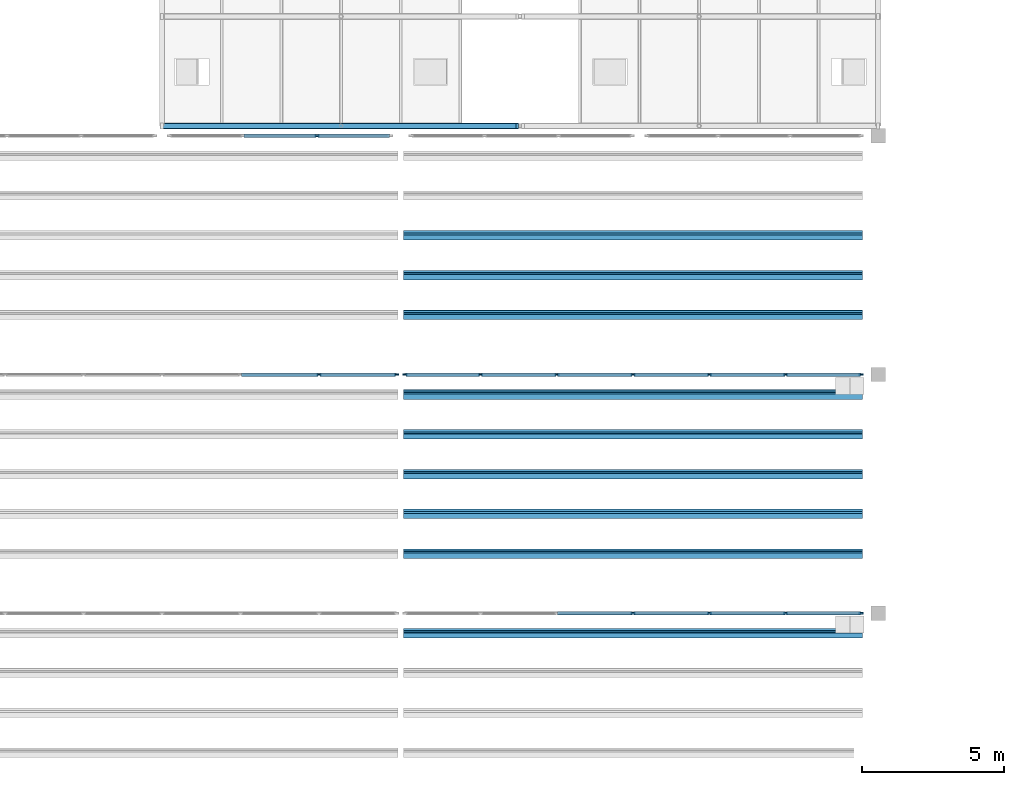
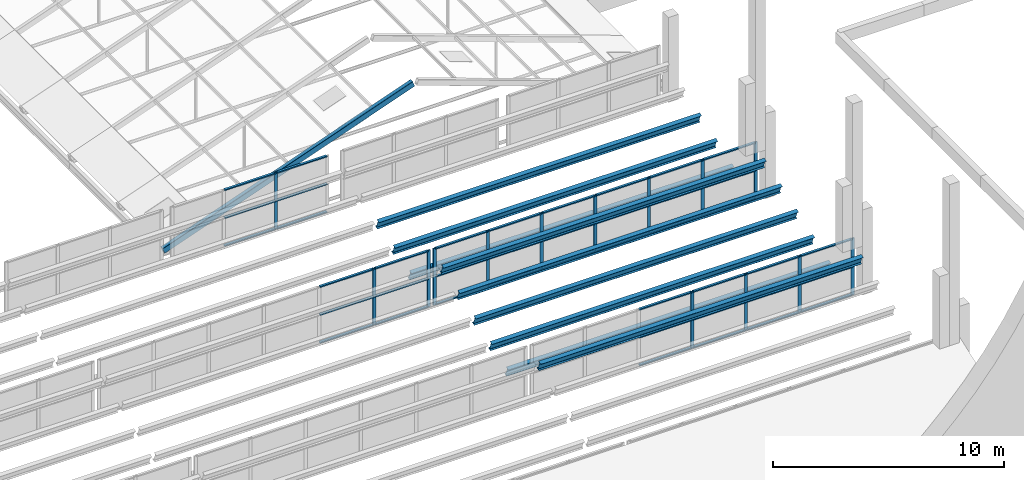
# One storey, part 25 of 116: 66 members, 4 elements without a shape of their own.
"""IFC4 building model written with IfcOpenShell, lengths in metres."""

from ifc_helpers import new_model, si_unit, direction, frame, origin, origin_2d, place, context, subcontext, project, spatial, rectangle, hollow_rectangle, i_section, extrude, material, material_profile, profile_set, type_object, element, aggregate, save


model = new_model("IFC4")

# Units and contexts
model_context = context("Model", 3, precision=1e-05, world=origin(), true_north=direction((0.0, 1.0)))
body_context = subcontext(model_context, "Body", "Model", "MODEL_VIEW")
ifc_project = project(units=[si_unit("LENGTHUNIT", "METRE"), si_unit("AREAUNIT", "SQUARE_METRE"), si_unit("VOLUMEUNIT", "CUBIC_METRE"), si_unit("PLANEANGLEUNIT", "RADIAN"), si_unit("MASSUNIT", "GRAM", prefix="KILO")], contexts=[model_context])

# Site, building, storey
site_placement = place(None, origin())
site = spatial("IfcSite", under=ifc_project, at=site_placement, CompositionType="ELEMENT")
building_placement = place(site_placement, origin())
building = spatial("IfcBuilding", under=site, at=building_placement, Name="Fescue Hill Polytechnic", CompositionType="ELEMENT")
storey_placement = place(building_placement, frame((0.0, 0.0, 13.5)))
storey = spatial("IfcBuildingStorey", under=building, at=storey_placement, Name="L03", CompositionType="ELEMENT", Elevation=13.5)

# Curtain wall, members
ifc_material_1 = material(Name="Aluminium and glass", Category="aluminium")
curtain_wall_type = type_object("IfcCurtainWallType", Name="Sawtooth north glazing curtain wall", PredefinedType="NOTDEFINED", material=ifc_material_1)
curtain_wall_1_placement = place(storey_placement, origin())
curtain_wall_1 = element("IfcCurtainWall", 1, at=curtain_wall_1_placement, inside=storey, type_object=curtain_wall_type, Name="Sawtooth 2 north glazing bay 7", PredefinedType="NOTDEFINED")
ifc_material_2 = material(Name="Aluminium", Category="aluminium")
ifc_material_profile_1 = material_profile(ifc_material_2, rectangle(XDim=0.06005859375, YDim=0.159912109375, at=origin_2d()), Name="Curtain wall mullion 60x160")
ifc_profile_set_1 = profile_set([ifc_material_profile_1], Name="Aluminium")
member_type_1 = type_object("IfcMemberType", Name="Curtain wall mullion 60x160", PredefinedType="MULLION", material=ifc_profile_set_1)
member_1_placement = place(storey_placement, frame((108.97509765625, 33.60009765625, 0.0), z_axis=(0.0, 0.0, 1.0), x_axis=(0.0, 1.0, 0.0)))
member_1 = element("IfcMember", 2, at=member_1_placement, type_object=member_type_1, Name="CW14 mullion 4", PredefinedType="MULLION", context=body_context, shape_type="SweptSolid", body=[
    extrude(rectangle(XDim=0.06005859375, YDim=0.159912109375, at=origin_2d()), origin(), (0.0, 0.0, 1.0), 3.0),
])
member_2_placement = place(storey_placement, frame((111.659912109375, 33.60009765625, 0.0), z_axis=(0.0, 0.0, 1.0), x_axis=(0.0, 1.0, 0.0)))
member_2 = element("IfcMember", 3, at=member_2_placement, type_object=member_type_1, Name="CW14 mullion 5", PredefinedType="MULLION", context=body_context, shape_type="SweptSolid", body=[
    extrude(rectangle(XDim=0.06005859375, YDim=0.159912109375, at=origin_2d()), origin(), (0.0, 0.0, 1.0), 3.0),
])
member_3_placement = place(storey_placement, frame((114.344970703125, 33.60009765625, 0.0), z_axis=(0.0, 0.0, 1.0), x_axis=(0.0, 1.0, 0.0)))
member_3 = element("IfcMember", 4, at=member_3_placement, type_object=member_type_1, Name="CW14 mullion 6", PredefinedType="MULLION", context=body_context, shape_type="SweptSolid", body=[
    extrude(rectangle(XDim=0.06005859375, YDim=0.159912109375, at=origin_2d()), origin(), (0.0, 0.0, 1.0), 3.0),
])
member_4_placement = place(storey_placement, frame((117.0, 33.60009765625, 0.0), z_axis=(0.0, 0.0, 1.0), x_axis=(0.0, 1.0, 0.0)))
member_4 = element("IfcMember", 5, at=member_4_placement, type_object=member_type_1, Name="CW14 mullion 7", PredefinedType="MULLION", context=body_context, shape_type="SweptSolid", body=[
    extrude(rectangle(XDim=0.06005859375, YDim=0.159912109375, at=origin_2d()), origin(), (0.0, 0.0, 1.0), 3.0),
])

curtain_wall_2_placement = place(storey_placement, origin())
curtain_wall_2 = element("IfcCurtainWall", 6, at=curtain_wall_2_placement, inside=storey, type_object=curtain_wall_type, Name="Sawtooth 3 north glazing bay 6", PredefinedType="NOTDEFINED")
member_5_placement = place(storey_placement, frame((97.919921875, 42.0, 0.0), z_axis=(0.0, 0.0, 1.0), x_axis=(0.0, 1.0, 0.0)))
member_5 = element("IfcMember", 7, at=member_5_placement, type_object=member_type_1, Name="CW20 mullion 6", PredefinedType="MULLION", context=body_context, shape_type="SweptSolid", body=[
    extrude(rectangle(XDim=0.06005859375, YDim=0.159912109375, at=origin_2d()), origin(), (0.0, 0.0, 1.0), 3.0),
])
member_6_placement = place(storey_placement, frame((100.64990234375, 42.0, 0.0), z_axis=(0.0, 0.0, 1.0), x_axis=(0.0, 1.0, 0.0)))
member_6 = element("IfcMember", 8, at=member_6_placement, type_object=member_type_1, Name="CW20 mullion 7", PredefinedType="MULLION", context=body_context, shape_type="SweptSolid", body=[
    extrude(rectangle(XDim=0.06005859375, YDim=0.159912109375, at=origin_2d()), origin(), (0.0, 0.0, 1.0), 3.0),
])

curtain_wall_3_placement = place(storey_placement, origin())
curtain_wall_3 = element("IfcCurtainWall", 9, at=curtain_wall_3_placement, inside=storey, type_object=curtain_wall_type, Name="Sawtooth 3 north glazing bay 7", PredefinedType="NOTDEFINED")
member_7_placement = place(storey_placement, frame((100.949951171875, 42.0, 0.0), z_axis=(0.0, 0.0, 1.0), x_axis=(0.0, 1.0, 0.0)))
member_7 = element("IfcMember", 10, at=member_7_placement, type_object=member_type_1, Name="CW21 mullion 1", PredefinedType="MULLION", context=body_context, shape_type="SweptSolid", body=[
    extrude(rectangle(XDim=0.06005859375, YDim=0.159912109375, at=origin_2d()), origin(), (0.0, 0.0, 1.0), 3.0),
])
member_8_placement = place(storey_placement, frame((103.60498046875, 42.0, 0.0), z_axis=(0.0, 0.0, 1.0), x_axis=(0.0, 1.0, 0.0)))
member_8 = element("IfcMember", 11, at=member_8_placement, type_object=member_type_1, Name="CW21 mullion 2", PredefinedType="MULLION", context=body_context, shape_type="SweptSolid", body=[
    extrude(rectangle(XDim=0.06005859375, YDim=0.159912109375, at=origin_2d()), origin(), (0.0, 0.0, 1.0), 3.0),
])
member_9_placement = place(storey_placement, frame((106.2900390625, 42.0, 0.0), z_axis=(0.0, 0.0, 1.0), x_axis=(0.0, 1.0, 0.0)))
member_9 = element("IfcMember", 12, at=member_9_placement, type_object=member_type_1, Name="CW21 mullion 3", PredefinedType="MULLION", context=body_context, shape_type="SweptSolid", body=[
    extrude(rectangle(XDim=0.06005859375, YDim=0.159912109375, at=origin_2d()), origin(), (0.0, 0.0, 1.0), 3.0),
])
member_10_placement = place(storey_placement, frame((108.97509765625, 42.0, 0.0), z_axis=(0.0, 0.0, 1.0), x_axis=(0.0, 1.0, 0.0)))
member_10 = element("IfcMember", 13, at=member_10_placement, type_object=member_type_1, Name="CW21 mullion 4", PredefinedType="MULLION", context=body_context, shape_type="SweptSolid", body=[
    extrude(rectangle(XDim=0.06005859375, YDim=0.159912109375, at=origin_2d()), origin(), (0.0, 0.0, 1.0), 3.0),
])
member_11_placement = place(storey_placement, frame((111.659912109375, 42.0, 0.0), z_axis=(0.0, 0.0, 1.0), x_axis=(0.0, 1.0, 0.0)))
member_11 = element("IfcMember", 14, at=member_11_placement, type_object=member_type_1, Name="CW21 mullion 5", PredefinedType="MULLION", context=body_context, shape_type="SweptSolid", body=[
    extrude(rectangle(XDim=0.06005859375, YDim=0.159912109375, at=origin_2d()), origin(), (0.0, 0.0, 1.0), 3.0),
])
member_12_placement = place(storey_placement, frame((114.344970703125, 42.0, 0.0), z_axis=(0.0, 0.0, 1.0), x_axis=(0.0, 1.0, 0.0)))
member_12 = element("IfcMember", 15, at=member_12_placement, type_object=member_type_1, Name="CW21 mullion 6", PredefinedType="MULLION", context=body_context, shape_type="SweptSolid", body=[
    extrude(rectangle(XDim=0.06005859375, YDim=0.159912109375, at=origin_2d()), origin(), (0.0, 0.0, 1.0), 3.0),
])
member_13_placement = place(storey_placement, frame((117.0, 42.0, 0.0), z_axis=(0.0, 0.0, 1.0), x_axis=(0.0, 1.0, 0.0)))
member_13 = element("IfcMember", 16, at=member_13_placement, type_object=member_type_1, Name="CW21 mullion 7", PredefinedType="MULLION", context=body_context, shape_type="SweptSolid", body=[
    extrude(rectangle(XDim=0.06005859375, YDim=0.159912109375, at=origin_2d()), origin(), (0.0, 0.0, 1.0), 3.0),
])

# Curtain wall, member
curtain_wall_4_placement = place(storey_placement, origin())
curtain_wall_4 = element("IfcCurtainWall", 17, at=curtain_wall_4_placement, inside=storey, type_object=curtain_wall_type, Name="Sawtooth 4 north glazing bay 6 part 2", PredefinedType="NOTDEFINED")
member_14_placement = place(storey_placement, frame((97.853271484375, 50.39990234375, 0.0), z_axis=(0.0, 0.0, 1.0), x_axis=(0.0, 1.0, 0.0)))
member_14 = element("IfcMember", 18, at=member_14_placement, type_object=member_type_1, Name="CW33 mullion 3", PredefinedType="MULLION", context=body_context, shape_type="SweptSolid", body=[
    extrude(rectangle(XDim=0.06005859375, YDim=0.159912109375, at=origin_2d()), origin(), (0.0, 0.0, 1.0), 3.0),
])

# Member
ifc_material_profile_2 = material_profile(ifc_material_2, rectangle(XDim=0.1201171875, YDim=0.06005859375, at=origin_2d()), Name="Curtain wall transom 60x120")
ifc_profile_set_2 = profile_set([ifc_material_profile_2], Name="Aluminium")
member_type_2 = type_object("IfcMemberType", Name="Curtain wall transom 60x120", PredefinedType="USERDEFINED", material=ifc_profile_set_2)
member_15_placement = place(storey_placement, frame((106.320068359375, 33.60009765625, 0.030029296875), z_axis=(1.0, 0.0, 0.0), x_axis=(0.0, 1.0, 0.0)))
member_15 = element("IfcMember", 19, at=member_15_placement, type_object=member_type_2, Name="CW14 transom 3.1", ObjectType="TRANSOM", PredefinedType="USERDEFINED", context=body_context, shape_type="SweptSolid", body=[
    extrude(rectangle(XDim=0.1201171875, YDim=0.06005859375, at=origin_2d()), origin(), (0.0, 0.0, 1.0), 2.625),
])

member_16_placement = place(storey_placement, frame((106.320068359375, 33.60009765625, 1.5), z_axis=(1.0, 0.0, 0.0), x_axis=(0.0, 1.0, 0.0)))
member_16 = element("IfcMember", 20, at=member_16_placement, type_object=member_type_2, Name="CW14 transom 3.2", ObjectType="TRANSOM", PredefinedType="USERDEFINED", context=body_context, shape_type="SweptSolid", body=[
    extrude(rectangle(XDim=0.1201171875, YDim=0.06005859375, at=origin_2d()), origin(), (0.0, 0.0, 1.0), 2.625),
])

member_17_placement = place(storey_placement, frame((106.320068359375, 33.60009765625, 2.969970703125), z_axis=(1.0, 0.0, 0.0), x_axis=(0.0, 1.0, 0.0)))
member_17 = element("IfcMember", 21, at=member_17_placement, type_object=member_type_2, Name="CW14 transom 3.3", ObjectType="TRANSOM", PredefinedType="USERDEFINED", context=body_context, shape_type="SweptSolid", body=[
    extrude(rectangle(XDim=0.1201171875, YDim=0.06005859375, at=origin_2d()), origin(), (0.0, 0.0, 1.0), 2.625),
])

member_18_placement = place(storey_placement, frame((109.0048828125, 33.60009765625, 0.030029296875), z_axis=(1.0, 0.0, 0.0), x_axis=(0.0, 1.0, 0.0)))
member_18 = element("IfcMember", 22, at=member_18_placement, type_object=member_type_2, Name="CW14 transom 4.1", ObjectType="TRANSOM", PredefinedType="USERDEFINED", context=body_context, shape_type="SweptSolid", body=[
    extrude(rectangle(XDim=0.1201171875, YDim=0.06005859375, at=origin_2d()), origin(), (0.0, 0.0, 1.0), 2.625),
])

member_19_placement = place(storey_placement, frame((109.0048828125, 33.60009765625, 1.5), z_axis=(1.0, 0.0, 0.0), x_axis=(0.0, 1.0, 0.0)))
member_19 = element("IfcMember", 23, at=member_19_placement, type_object=member_type_2, Name="CW14 transom 4.2", ObjectType="TRANSOM", PredefinedType="USERDEFINED", context=body_context, shape_type="SweptSolid", body=[
    extrude(rectangle(XDim=0.1201171875, YDim=0.06005859375, at=origin_2d()), origin(), (0.0, 0.0, 1.0), 2.625),
])

member_20_placement = place(storey_placement, frame((109.0048828125, 33.60009765625, 2.969970703125), z_axis=(1.0, 0.0, 0.0), x_axis=(0.0, 1.0, 0.0)))
member_20 = element("IfcMember", 24, at=member_20_placement, type_object=member_type_2, Name="CW14 transom 4.3", ObjectType="TRANSOM", PredefinedType="USERDEFINED", context=body_context, shape_type="SweptSolid", body=[
    extrude(rectangle(XDim=0.1201171875, YDim=0.06005859375, at=origin_2d()), origin(), (0.0, 0.0, 1.0), 2.625),
])

member_21_placement = place(storey_placement, frame((111.68994140625, 33.60009765625, 0.030029296875), z_axis=(1.0, 0.0, 0.0), x_axis=(0.0, 1.0, 0.0)))
member_21 = element("IfcMember", 25, at=member_21_placement, type_object=member_type_2, Name="CW14 transom 5.1", ObjectType="TRANSOM", PredefinedType="USERDEFINED", context=body_context, shape_type="SweptSolid", body=[
    extrude(rectangle(XDim=0.1201171875, YDim=0.06005859375, at=origin_2d()), origin(), (0.0, 0.0, 1.0), 2.625),
])

member_22_placement = place(storey_placement, frame((111.68994140625, 33.60009765625, 1.5), z_axis=(1.0, 0.0, 0.0), x_axis=(0.0, 1.0, 0.0)))
member_22 = element("IfcMember", 26, at=member_22_placement, type_object=member_type_2, Name="CW14 transom 5.2", ObjectType="TRANSOM", PredefinedType="USERDEFINED", context=body_context, shape_type="SweptSolid", body=[
    extrude(rectangle(XDim=0.1201171875, YDim=0.06005859375, at=origin_2d()), origin(), (0.0, 0.0, 1.0), 2.625),
])

member_23_placement = place(storey_placement, frame((111.68994140625, 33.60009765625, 2.969970703125), z_axis=(1.0, 0.0, 0.0), x_axis=(0.0, 1.0, 0.0)))
member_23 = element("IfcMember", 27, at=member_23_placement, type_object=member_type_2, Name="CW14 transom 5.3", ObjectType="TRANSOM", PredefinedType="USERDEFINED", context=body_context, shape_type="SweptSolid", body=[
    extrude(rectangle(XDim=0.1201171875, YDim=0.06005859375, at=origin_2d()), origin(), (0.0, 0.0, 1.0), 2.625),
])

member_24_placement = place(storey_placement, frame((114.375, 33.60009765625, 0.030029296875), z_axis=(1.0, 0.0, 0.0), x_axis=(0.0, 1.0, 0.0)))
member_24 = element("IfcMember", 28, at=member_24_placement, type_object=member_type_2, Name="CW14 transom 6.1", ObjectType="TRANSOM", PredefinedType="USERDEFINED", context=body_context, shape_type="SweptSolid", body=[
    extrude(rectangle(XDim=0.1201171875, YDim=0.06005859375, at=origin_2d()), origin(), (0.0, 0.0, 1.0), 2.594970703125),
])

member_25_placement = place(storey_placement, frame((114.375, 33.60009765625, 1.5), z_axis=(1.0, 0.0, 0.0), x_axis=(0.0, 1.0, 0.0)))
member_25 = element("IfcMember", 29, at=member_25_placement, type_object=member_type_2, Name="CW14 transom 6.2", ObjectType="TRANSOM", PredefinedType="USERDEFINED", context=body_context, shape_type="SweptSolid", body=[
    extrude(rectangle(XDim=0.1201171875, YDim=0.06005859375, at=origin_2d()), origin(), (0.0, 0.0, 1.0), 2.594970703125),
])

member_26_placement = place(storey_placement, frame((114.375, 33.60009765625, 2.969970703125), z_axis=(1.0, 0.0, 0.0), x_axis=(0.0, 1.0, 0.0)))
member_26 = element("IfcMember", 30, at=member_26_placement, type_object=member_type_2, Name="CW14 transom 6.3", ObjectType="TRANSOM", PredefinedType="USERDEFINED", context=body_context, shape_type="SweptSolid", body=[
    extrude(rectangle(XDim=0.1201171875, YDim=0.06005859375, at=origin_2d()), origin(), (0.0, 0.0, 1.0), 2.594970703125),
])

aggregate(curtain_wall_1, [member_1, member_2, member_3, member_4, member_15, member_16, member_17, member_18, member_19, member_20, member_21, member_22, member_23, member_24, member_25, member_26])

member_27_placement = place(storey_placement, frame((95.18994140625, 42.0, 0.030029296875), z_axis=(1.0, 0.0, 0.0), x_axis=(0.0, 1.0, 0.0)))
member_27 = element("IfcMember", 31, at=member_27_placement, type_object=member_type_2, Name="CW20 transom 5.1", ObjectType="TRANSOM", PredefinedType="USERDEFINED", context=body_context, shape_type="SweptSolid", body=[
    extrude(rectangle(XDim=0.1201171875, YDim=0.06005859375, at=origin_2d()), origin(), (0.0, 0.0, 1.0), 2.699951171875),
])

member_28_placement = place(storey_placement, frame((95.18994140625, 42.0, 1.5), z_axis=(1.0, 0.0, 0.0), x_axis=(0.0, 1.0, 0.0)))
member_28 = element("IfcMember", 32, at=member_28_placement, type_object=member_type_2, Name="CW20 transom 5.2", ObjectType="TRANSOM", PredefinedType="USERDEFINED", context=body_context, shape_type="SweptSolid", body=[
    extrude(rectangle(XDim=0.1201171875, YDim=0.06005859375, at=origin_2d()), origin(), (0.0, 0.0, 1.0), 2.699951171875),
])

member_29_placement = place(storey_placement, frame((95.18994140625, 42.0, 2.969970703125), z_axis=(1.0, 0.0, 0.0), x_axis=(0.0, 1.0, 0.0)))
member_29 = element("IfcMember", 33, at=member_29_placement, type_object=member_type_2, Name="CW20 transom 5.3", ObjectType="TRANSOM", PredefinedType="USERDEFINED", context=body_context, shape_type="SweptSolid", body=[
    extrude(rectangle(XDim=0.1201171875, YDim=0.06005859375, at=origin_2d()), origin(), (0.0, 0.0, 1.0), 2.699951171875),
])

member_30_placement = place(storey_placement, frame((97.949951171875, 42.0, 0.030029296875), z_axis=(1.0, 0.0, 0.0), x_axis=(0.0, 1.0, 0.0)))
member_30 = element("IfcMember", 34, at=member_30_placement, type_object=member_type_2, Name="CW20 transom 6.1", ObjectType="TRANSOM", PredefinedType="USERDEFINED", context=body_context, shape_type="SweptSolid", body=[
    extrude(rectangle(XDim=0.1201171875, YDim=0.06005859375, at=origin_2d()), origin(), (0.0, 0.0, 1.0), 2.670166015625),
])

member_31_placement = place(storey_placement, frame((97.949951171875, 42.0, 1.5), z_axis=(1.0, 0.0, 0.0), x_axis=(0.0, 1.0, 0.0)))
member_31 = element("IfcMember", 35, at=member_31_placement, type_object=member_type_2, Name="CW20 transom 6.2", ObjectType="TRANSOM", PredefinedType="USERDEFINED", context=body_context, shape_type="SweptSolid", body=[
    extrude(rectangle(XDim=0.1201171875, YDim=0.06005859375, at=origin_2d()), origin(), (0.0, 0.0, 1.0), 2.670166015625),
])

member_32_placement = place(storey_placement, frame((97.949951171875, 42.0, 2.969970703125), z_axis=(1.0, 0.0, 0.0), x_axis=(0.0, 1.0, 0.0)))
member_32 = element("IfcMember", 36, at=member_32_placement, type_object=member_type_2, Name="CW20 transom 6.3", ObjectType="TRANSOM", PredefinedType="USERDEFINED", context=body_context, shape_type="SweptSolid", body=[
    extrude(rectangle(XDim=0.1201171875, YDim=0.06005859375, at=origin_2d()), origin(), (0.0, 0.0, 1.0), 2.670166015625),
])

aggregate(curtain_wall_2, [member_5, member_6, member_27, member_28, member_29, member_30, member_31, member_32])

member_33_placement = place(storey_placement, frame((100.97998046875, 42.0, 0.030029296875), z_axis=(1.0, 0.0, 0.0), x_axis=(0.0, 1.0, 0.0)))
member_33 = element("IfcMember", 37, at=member_33_placement, type_object=member_type_2, Name="CW21 transom 1.1", ObjectType="TRANSOM", PredefinedType="USERDEFINED", context=body_context, shape_type="SweptSolid", body=[
    extrude(rectangle(XDim=0.1201171875, YDim=0.06005859375, at=origin_2d()), origin(), (0.0, 0.0, 1.0), 2.594970703125),
])

member_34_placement = place(storey_placement, frame((100.97998046875, 42.0, 1.5), z_axis=(1.0, 0.0, 0.0), x_axis=(0.0, 1.0, 0.0)))
member_34 = element("IfcMember", 38, at=member_34_placement, type_object=member_type_2, Name="CW21 transom 1.2", ObjectType="TRANSOM", PredefinedType="USERDEFINED", context=body_context, shape_type="SweptSolid", body=[
    extrude(rectangle(XDim=0.1201171875, YDim=0.06005859375, at=origin_2d()), origin(), (0.0, 0.0, 1.0), 2.594970703125),
])

member_35_placement = place(storey_placement, frame((100.97998046875, 42.0, 2.969970703125), z_axis=(1.0, 0.0, 0.0), x_axis=(0.0, 1.0, 0.0)))
member_35 = element("IfcMember", 39, at=member_35_placement, type_object=member_type_2, Name="CW21 transom 1.3", ObjectType="TRANSOM", PredefinedType="USERDEFINED", context=body_context, shape_type="SweptSolid", body=[
    extrude(rectangle(XDim=0.1201171875, YDim=0.06005859375, at=origin_2d()), origin(), (0.0, 0.0, 1.0), 2.594970703125),
])

member_36_placement = place(storey_placement, frame((103.635009765625, 42.0, 0.030029296875), z_axis=(1.0, 0.0, 0.0), x_axis=(0.0, 1.0, 0.0)))
member_36 = element("IfcMember", 40, at=member_36_placement, type_object=member_type_2, Name="CW21 transom 2.1", ObjectType="TRANSOM", PredefinedType="USERDEFINED", context=body_context, shape_type="SweptSolid", body=[
    extrude(rectangle(XDim=0.1201171875, YDim=0.06005859375, at=origin_2d()), origin(), (0.0, 0.0, 1.0), 2.625),
])

member_37_placement = place(storey_placement, frame((103.635009765625, 42.0, 1.5), z_axis=(1.0, 0.0, 0.0), x_axis=(0.0, 1.0, 0.0)))
member_37 = element("IfcMember", 41, at=member_37_placement, type_object=member_type_2, Name="CW21 transom 2.2", ObjectType="TRANSOM", PredefinedType="USERDEFINED", context=body_context, shape_type="SweptSolid", body=[
    extrude(rectangle(XDim=0.1201171875, YDim=0.06005859375, at=origin_2d()), origin(), (0.0, 0.0, 1.0), 2.625),
])

member_38_placement = place(storey_placement, frame((103.635009765625, 42.0, 2.969970703125), z_axis=(1.0, 0.0, 0.0), x_axis=(0.0, 1.0, 0.0)))
member_38 = element("IfcMember", 42, at=member_38_placement, type_object=member_type_2, Name="CW21 transom 2.3", ObjectType="TRANSOM", PredefinedType="USERDEFINED", context=body_context, shape_type="SweptSolid", body=[
    extrude(rectangle(XDim=0.1201171875, YDim=0.06005859375, at=origin_2d()), origin(), (0.0, 0.0, 1.0), 2.625),
])

member_39_placement = place(storey_placement, frame((106.320068359375, 42.0, 0.030029296875), z_axis=(1.0, 0.0, 0.0), x_axis=(0.0, 1.0, 0.0)))
member_39 = element("IfcMember", 43, at=member_39_placement, type_object=member_type_2, Name="CW21 transom 3.1", ObjectType="TRANSOM", PredefinedType="USERDEFINED", context=body_context, shape_type="SweptSolid", body=[
    extrude(rectangle(XDim=0.1201171875, YDim=0.06005859375, at=origin_2d()), origin(), (0.0, 0.0, 1.0), 2.625),
])

member_40_placement = place(storey_placement, frame((106.320068359375, 42.0, 1.5), z_axis=(1.0, 0.0, 0.0), x_axis=(0.0, 1.0, 0.0)))
member_40 = element("IfcMember", 44, at=member_40_placement, type_object=member_type_2, Name="CW21 transom 3.2", ObjectType="TRANSOM", PredefinedType="USERDEFINED", context=body_context, shape_type="SweptSolid", body=[
    extrude(rectangle(XDim=0.1201171875, YDim=0.06005859375, at=origin_2d()), origin(), (0.0, 0.0, 1.0), 2.625),
])

member_41_placement = place(storey_placement, frame((106.320068359375, 42.0, 2.969970703125), z_axis=(1.0, 0.0, 0.0), x_axis=(0.0, 1.0, 0.0)))
member_41 = element("IfcMember", 45, at=member_41_placement, type_object=member_type_2, Name="CW21 transom 3.3", ObjectType="TRANSOM", PredefinedType="USERDEFINED", context=body_context, shape_type="SweptSolid", body=[
    extrude(rectangle(XDim=0.1201171875, YDim=0.06005859375, at=origin_2d()), origin(), (0.0, 0.0, 1.0), 2.625),
])

member_42_placement = place(storey_placement, frame((109.0048828125, 42.0, 0.030029296875), z_axis=(1.0, 0.0, 0.0), x_axis=(0.0, 1.0, 0.0)))
member_42 = element("IfcMember", 46, at=member_42_placement, type_object=member_type_2, Name="CW21 transom 4.1", ObjectType="TRANSOM", PredefinedType="USERDEFINED", context=body_context, shape_type="SweptSolid", body=[
    extrude(rectangle(XDim=0.1201171875, YDim=0.06005859375, at=origin_2d()), origin(), (0.0, 0.0, 1.0), 2.625),
])

member_43_placement = place(storey_placement, frame((109.0048828125, 42.0, 1.5), z_axis=(1.0, 0.0, 0.0), x_axis=(0.0, 1.0, 0.0)))
member_43 = element("IfcMember", 47, at=member_43_placement, type_object=member_type_2, Name="CW21 transom 4.2", ObjectType="TRANSOM", PredefinedType="USERDEFINED", context=body_context, shape_type="SweptSolid", body=[
    extrude(rectangle(XDim=0.1201171875, YDim=0.06005859375, at=origin_2d()), origin(), (0.0, 0.0, 1.0), 2.625),
])

member_44_placement = place(storey_placement, frame((109.0048828125, 42.0, 2.969970703125), z_axis=(1.0, 0.0, 0.0), x_axis=(0.0, 1.0, 0.0)))
member_44 = element("IfcMember", 48, at=member_44_placement, type_object=member_type_2, Name="CW21 transom 4.3", ObjectType="TRANSOM", PredefinedType="USERDEFINED", context=body_context, shape_type="SweptSolid", body=[
    extrude(rectangle(XDim=0.1201171875, YDim=0.06005859375, at=origin_2d()), origin(), (0.0, 0.0, 1.0), 2.625),
])

member_45_placement = place(storey_placement, frame((111.68994140625, 42.0, 0.030029296875), z_axis=(1.0, 0.0, 0.0), x_axis=(0.0, 1.0, 0.0)))
member_45 = element("IfcMember", 49, at=member_45_placement, type_object=member_type_2, Name="CW21 transom 5.1", ObjectType="TRANSOM", PredefinedType="USERDEFINED", context=body_context, shape_type="SweptSolid", body=[
    extrude(rectangle(XDim=0.1201171875, YDim=0.06005859375, at=origin_2d()), origin(), (0.0, 0.0, 1.0), 2.625),
])

member_46_placement = place(storey_placement, frame((111.68994140625, 42.0, 1.5), z_axis=(1.0, 0.0, 0.0), x_axis=(0.0, 1.0, 0.0)))
member_46 = element("IfcMember", 50, at=member_46_placement, type_object=member_type_2, Name="CW21 transom 5.2", ObjectType="TRANSOM", PredefinedType="USERDEFINED", context=body_context, shape_type="SweptSolid", body=[
    extrude(rectangle(XDim=0.1201171875, YDim=0.06005859375, at=origin_2d()), origin(), (0.0, 0.0, 1.0), 2.625),
])

member_47_placement = place(storey_placement, frame((111.68994140625, 42.0, 2.969970703125), z_axis=(1.0, 0.0, 0.0), x_axis=(0.0, 1.0, 0.0)))
member_47 = element("IfcMember", 51, at=member_47_placement, type_object=member_type_2, Name="CW21 transom 5.3", ObjectType="TRANSOM", PredefinedType="USERDEFINED", context=body_context, shape_type="SweptSolid", body=[
    extrude(rectangle(XDim=0.1201171875, YDim=0.06005859375, at=origin_2d()), origin(), (0.0, 0.0, 1.0), 2.625),
])

member_48_placement = place(storey_placement, frame((114.375, 42.0, 0.030029296875), z_axis=(1.0, 0.0, 0.0), x_axis=(0.0, 1.0, 0.0)))
member_48 = element("IfcMember", 52, at=member_48_placement, type_object=member_type_2, Name="CW21 transom 6.1", ObjectType="TRANSOM", PredefinedType="USERDEFINED", context=body_context, shape_type="SweptSolid", body=[
    extrude(rectangle(XDim=0.1201171875, YDim=0.06005859375, at=origin_2d()), origin(), (0.0, 0.0, 1.0), 2.594970703125),
])

member_49_placement = place(storey_placement, frame((114.375, 42.0, 1.5), z_axis=(1.0, 0.0, 0.0), x_axis=(0.0, 1.0, 0.0)))
member_49 = element("IfcMember", 53, at=member_49_placement, type_object=member_type_2, Name="CW21 transom 6.2", ObjectType="TRANSOM", PredefinedType="USERDEFINED", context=body_context, shape_type="SweptSolid", body=[
    extrude(rectangle(XDim=0.1201171875, YDim=0.06005859375, at=origin_2d()), origin(), (0.0, 0.0, 1.0), 2.594970703125),
])

member_50_placement = place(storey_placement, frame((114.375, 42.0, 2.969970703125), z_axis=(1.0, 0.0, 0.0), x_axis=(0.0, 1.0, 0.0)))
member_50 = element("IfcMember", 54, at=member_50_placement, type_object=member_type_2, Name="CW21 transom 6.3", ObjectType="TRANSOM", PredefinedType="USERDEFINED", context=body_context, shape_type="SweptSolid", body=[
    extrude(rectangle(XDim=0.1201171875, YDim=0.06005859375, at=origin_2d()), origin(), (0.0, 0.0, 1.0), 2.594970703125),
])

aggregate(curtain_wall_3, [member_7, member_8, member_9, member_10, member_11, member_12, member_13, member_33, member_34, member_35, member_36, member_37, member_38, member_39, member_40, member_41, member_42, member_43, member_44, member_45, member_46, member_47, member_48, member_49, member_50])

member_51_placement = place(storey_placement, frame((95.276611328125, 50.39990234375, 0.030029296875), z_axis=(1.0, 0.0, 0.0), x_axis=(0.0, 1.0, 0.0)))
member_51 = element("IfcMember", 55, at=member_51_placement, type_object=member_type_2, Name="CW33 transom 2.1", ObjectType="TRANSOM", PredefinedType="USERDEFINED", context=body_context, shape_type="SweptSolid", body=[
    extrude(rectangle(XDim=0.1201171875, YDim=0.06005859375, at=origin_2d()), origin(), (0.0, 0.0, 1.0), 2.546630859375),
])

member_52_placement = place(storey_placement, frame((95.276611328125, 50.39990234375, 1.5), z_axis=(1.0, 0.0, 0.0), x_axis=(0.0, 1.0, 0.0)))
member_52 = element("IfcMember", 56, at=member_52_placement, type_object=member_type_2, Name="CW33 transom 2.2", ObjectType="TRANSOM", PredefinedType="USERDEFINED", context=body_context, shape_type="SweptSolid", body=[
    extrude(rectangle(XDim=0.1201171875, YDim=0.06005859375, at=origin_2d()), origin(), (0.0, 0.0, 1.0), 2.546630859375),
])

member_53_placement = place(storey_placement, frame((95.276611328125, 50.39990234375, 2.969970703125), z_axis=(1.0, 0.0, 0.0), x_axis=(0.0, 1.0, 0.0)))
member_53 = element("IfcMember", 57, at=member_53_placement, type_object=member_type_2, Name="CW33 transom 2.3", ObjectType="TRANSOM", PredefinedType="USERDEFINED", context=body_context, shape_type="SweptSolid", body=[
    extrude(rectangle(XDim=0.1201171875, YDim=0.06005859375, at=origin_2d()), origin(), (0.0, 0.0, 1.0), 2.546630859375),
])

member_54_placement = place(storey_placement, frame((97.88330078125, 50.39990234375, 0.030029296875), z_axis=(1.0, 0.0, 0.0), x_axis=(0.0, 1.0, 0.0)))
member_54 = element("IfcMember", 58, at=member_54_placement, type_object=member_type_2, Name="CW33 transom 3.1", ObjectType="TRANSOM", PredefinedType="USERDEFINED", context=body_context, shape_type="SweptSolid", body=[
    extrude(rectangle(XDim=0.1201171875, YDim=0.06005859375, at=origin_2d()), origin(), (0.0, 0.0, 1.0), 2.5166015625),
])

member_55_placement = place(storey_placement, frame((97.88330078125, 50.39990234375, 1.5), z_axis=(1.0, 0.0, 0.0), x_axis=(0.0, 1.0, 0.0)))
member_55 = element("IfcMember", 59, at=member_55_placement, type_object=member_type_2, Name="CW33 transom 3.2", ObjectType="TRANSOM", PredefinedType="USERDEFINED", context=body_context, shape_type="SweptSolid", body=[
    extrude(rectangle(XDim=0.1201171875, YDim=0.06005859375, at=origin_2d()), origin(), (0.0, 0.0, 1.0), 2.5166015625),
])

member_56_placement = place(storey_placement, frame((97.88330078125, 50.39990234375, 2.969970703125), z_axis=(1.0, 0.0, 0.0), x_axis=(0.0, 1.0, 0.0)))
member_56 = element("IfcMember", 60, at=member_56_placement, type_object=member_type_2, Name="CW33 transom 3.3", ObjectType="TRANSOM", PredefinedType="USERDEFINED", context=body_context, shape_type="SweptSolid", body=[
    extrude(rectangle(XDim=0.1201171875, YDim=0.06005859375, at=origin_2d()), origin(), (0.0, 0.0, 1.0), 2.5166015625),
])

aggregate(curtain_wall_4, [member_14, member_51, member_52, member_53, member_54, member_55, member_56])

# Members
ifc_material_3 = material(Name="Steel 350W (350 MPa)", Category="steel")
ifc_material_profile_3 = material_profile(ifc_material_3, i_section(OverallWidth=0.18994140625, OverallDepth=0.45703125, WebThickness=0.009033203125, FlangeThickness=0.014404296875, FilletRadius=0.0166015625, at=origin_2d()), Name="W460x74")
ifc_profile_set_3 = profile_set([ifc_material_profile_3], Name="Steel 350W (350 MPa)")
member_type_3 = type_object("IfcMemberType", Name="Tooth purlin W460x74", PredefinedType="PURLIN", material=ifc_profile_set_3)
for number, where, z_axis, x_axis, name in (
    (61, (100.904541015625, 35.699951171875, 0.294921875), (1.0, 0.0, 0.0), (0.0, 0.941741911595, 0.336336396997), "Tooth 3 purlin 2 bay 7"),
    (62, (100.904541015625, 37.10009765625, 0.794921875), (1.0, 0.0, 0.0), (0.0, 0.941741911595, 0.336336396997), "Tooth 3 purlin 3 bay 7"),
    (63, (100.904541015625, 38.5, 1.294921875), (1.0, 0.0, 0.0), (0.0, 0.941741911595, 0.336336396997), "Tooth 3 purlin 4 bay 7"),
    (64, (100.904541015625, 39.89990234375, 1.794921875), (1.0, 0.0, 0.0), (0.0, 0.941741911595, 0.336336396997), "Tooth 3 purlin 5 bay 7"),
    (65, (100.904541015625, 44.10009765625, 0.294921875), (1.0, 0.0, 0.0), (0.0, 0.941741911595, 0.336336396997), "Tooth 4 purlin 2 bay 7"),
    (66, (100.904541015625, 45.5, 0.794921875), (1.0, 0.0, 0.0), (0.0, 0.941741911595, 0.336336396997), "Tooth 4 purlin 3 bay 7"),
    (67, (100.904541015625, 46.89990234375, 1.294921875), (1.0, 0.0, 0.0), (0.0, 0.941741911595, 0.336336396997), "Tooth 4 purlin 4 bay 7"),
):
    element("IfcMember", number, at=place(storey_placement, frame(where, z_axis=z_axis, x_axis=x_axis)), inside=storey, type_object=member_type_3, Name=name, PredefinedType="PURLIN", context=body_context, shape_type="SweptSolid", body=[
        extrude(i_section(OverallWidth=0.18994140625, OverallDepth=0.45703125, WebThickness=0.009033203125, FlangeThickness=0.014404296875, FilletRadius=0.0166015625, at=origin_2d()), origin(), (0.0, 0.0, 1.0), 16.140869140625),
    ])
ifc_material_profile_4 = material_profile(ifc_material_3, i_section(OverallWidth=0.193115234375, OverallDepth=0.466064453125, WebThickness=0.011474609375, FlangeThickness=0.01904296875, FilletRadius=0.01708984375, at=origin_2d()), Name="W460x97")
ifc_profile_set_4 = profile_set([ifc_material_profile_4], Name="Steel 350W (350 MPa)")
member_type_4 = type_object("IfcMemberType", Name="Tooth ridge purlin W460x97", PredefinedType="PURLIN", material=ifc_profile_set_4)
for number, where, z_axis, x_axis, name in (
    (68, (100.904541015625, 32.89990234375, 2.290283203125), (1.0, 0.0, 0.0), (0.0, 0.941741911595, 0.336336396997), "Tooth 2 ridge purlin bay 7"),
    (69, (100.904541015625, 41.300048828125, 2.290283203125), (1.0, 0.0, 0.0), (0.0, 0.941741911595, 0.336336396997), "Tooth 3 ridge purlin bay 7"),
):
    element("IfcMember", number, at=place(storey_placement, frame(where, z_axis=z_axis, x_axis=x_axis)), inside=storey, type_object=member_type_4, Name=name, PredefinedType="PURLIN", context=body_context, shape_type="SweptSolid", body=[
        extrude(i_section(OverallWidth=0.193115234375, OverallDepth=0.466064453125, WebThickness=0.011474609375, FlangeThickness=0.01904296875, FilletRadius=0.01708984375, at=origin_2d()), origin(), (0.0, 0.0, 1.0), 16.140869140625),
    ])
ifc_material_profile_5 = material_profile(ifc_material_3, hollow_rectangle(XDim=0.203125, YDim=0.3046875, WallThickness=0.009521484375, InnerFilletRadius=0.009521484375, OuterFilletRadius=0.01904296875, at=origin_2d()), Name="Winter garden rafter HSS 305x203x9.5")
ifc_profile_set_5 = profile_set([ifc_material_profile_5], Name="Steel 350W (350 MPa)")
member_type_5 = type_object("IfcMemberType", Name="Winter garden rafter HSS 305x203x9.5", PredefinedType="RAFTER", material=ifc_profile_set_5)
member_57_placement = place(storey_placement, frame((92.39990234375, 50.75, 0.578857421875), z_axis=(0.941740247025, 0.0, 0.336341057756), x_axis=(0.0, 1.0, 0.0)))
element("IfcMember", 70, at=member_57_placement, inside=storey, type_object=member_type_5, Name="Winter garden rafter W1", PredefinedType="RAFTER", context=body_context, shape_type="SweptSolid", body=[
    extrude(hollow_rectangle(XDim=0.203125, YDim=0.3046875, WallThickness=0.009521484375, InnerFilletRadius=0.009521484375, OuterFilletRadius=0.01904296875, at=origin_2d()), origin(), (0.0, 0.0, 1.0), 13.273193359375),
])

save(model, "model.ifc")
